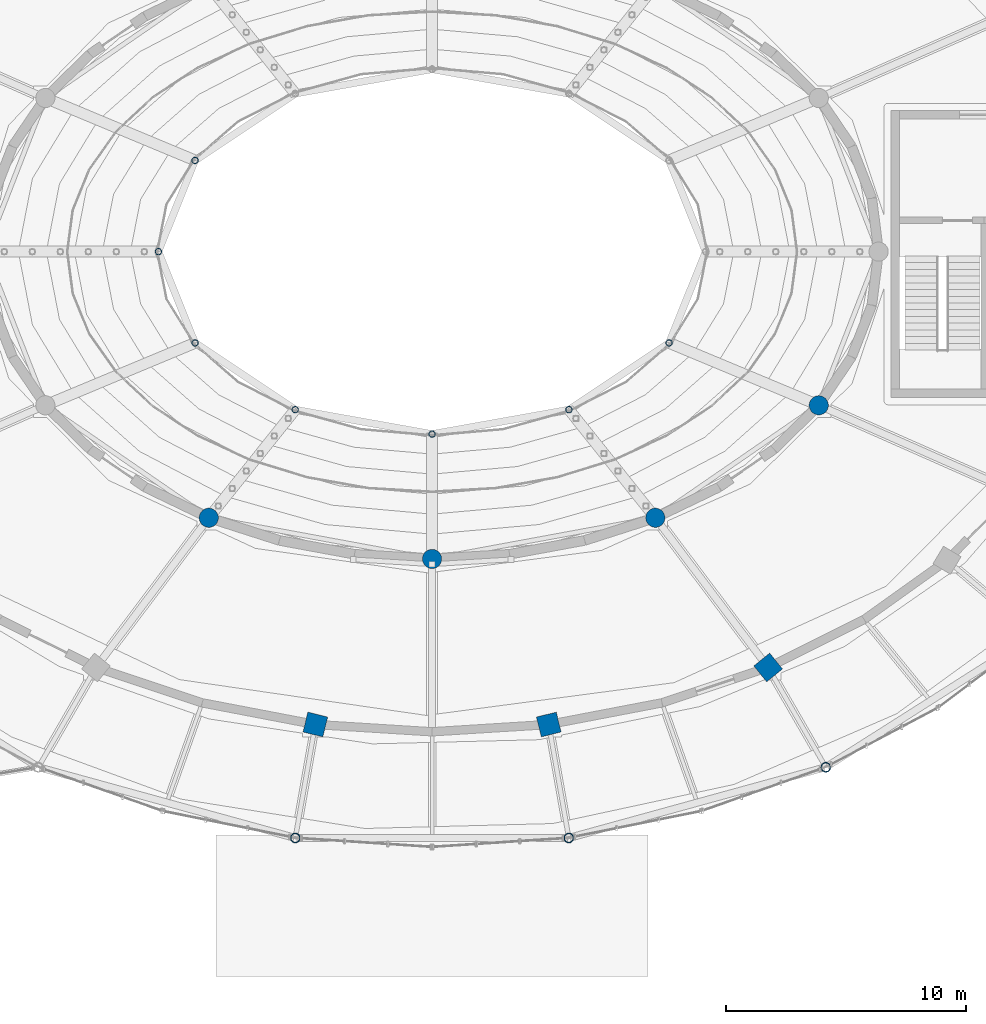
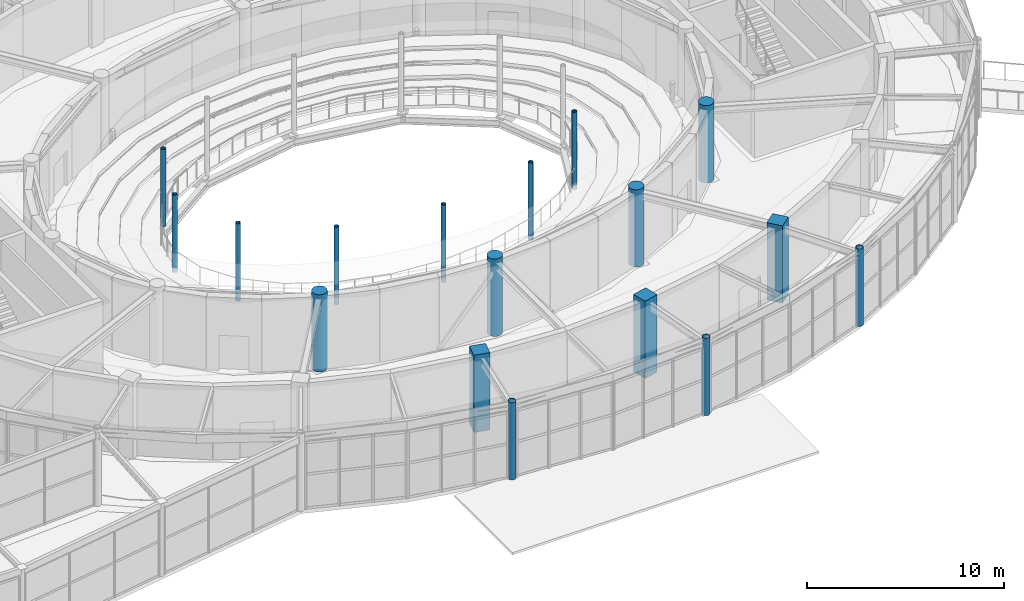
# One storey, part 5 of 100: 17 columns.
"""IFC4 building model written with IfcOpenShell, lengths in metres."""

from ifc_helpers import new_model, si_unit, direction, frame, origin, origin_2d, place, context, subcontext, project, spatial, rectangle, circle, hollow_circle, extrude, material, material_profile, profile_set, type_object, element, save


model = new_model("IFC4")

# Units and contexts
model_context = context("Model", 3, precision=1e-05, world=origin(), true_north=direction((0.0, 1.0)))
body_context = subcontext(model_context, "Body", "Model", "MODEL_VIEW")
ifc_project = project(units=[si_unit("LENGTHUNIT", "METRE"), si_unit("AREAUNIT", "SQUARE_METRE"), si_unit("VOLUMEUNIT", "CUBIC_METRE"), si_unit("PLANEANGLEUNIT", "RADIAN"), si_unit("MASSUNIT", "GRAM", prefix="KILO")], contexts=[model_context])

# Site, building, storey
site_placement = place(None, origin())
site = spatial("IfcSite", under=ifc_project, at=site_placement, CompositionType="ELEMENT")
building_placement = place(site_placement, origin())
building = spatial("IfcBuilding", under=site, at=building_placement, Name="Tarnveldt Headland Concert Hall", CompositionType="ELEMENT")
storey_placement = place(building_placement, frame((0.0, 0.0, 4.800048828125)))
storey = spatial("IfcBuildingStorey", under=building, at=storey_placement, Name="L01", CompositionType="ELEMENT", Elevation=4.800048828125)

# Columns
ifc_material_1 = material(Name="Concrete C40/50", Category="concrete")
ifc_material_profile_1 = material_profile(ifc_material_1, rectangle(XDim=0.85009765625, YDim=0.85009765625, at=origin_2d()), Name="RC 850x850", Category="concrete")
ifc_profile_set_1 = profile_set([ifc_material_profile_1], Name="Concrete C40/50")
column_type_1 = type_object("IfcColumnType", Name="CC-850", PredefinedType="COLUMN", material=ifc_profile_set_1)
for number, where, z_axis, x_axis, name in (
    (1, (78.637939453125, 34.8037109375, 0.0), (0.0, 0.0, 1.0), (-0.239719743609, -0.970842131618, 0.0), "Column V2DC14 L01"),
    (2, (88.362060546875, 34.8037109375, 0.0), (0.0, 0.0, 1.0), (0.239719743609, -0.970842131618, 0.0), "Column V2DC15 L01"),
    (3, (97.5, 37.179443359375, 0.0), (0.0, 0.0, 1.0), (0.628641963719, -0.777694851116, 0.0), "Column V2DC16 L01"),
):
    element("IfcColumn", number, at=place(storey_placement, frame(where, z_axis=z_axis, x_axis=x_axis)), inside=storey, type_object=column_type_1, Name=name, PredefinedType="COLUMN", context=body_context, shape_type="SweptSolid", body=[
        extrude(rectangle(XDim=0.85009765625, YDim=0.85009765625, at=origin_2d()), origin(), (0.0, 0.0, 1.0), 4.800048828125),
    ])
ifc_material_profile_2 = material_profile(ifc_material_1, circle(Radius=0.39990234375, at=origin_2d()), Name="RC D800", Category="concrete")
ifc_profile_set_2 = profile_set([ifc_material_profile_2], Name="Concrete C40/50")
column_type_2 = type_object("IfcColumnType", Name="DC-800", PredefinedType="COLUMN", material=ifc_profile_set_2)
for number, where, z_axis, x_axis, name in (
    (4, (74.199951171875, 43.414794921875, 0.0), (0.0, 0.0, 1.0), (-0.642787609687, -0.766044443119, 0.0), "Column V2IC09 L01"),
    (5, (83.5, 41.699951171875, 0.0), (0.0, 0.0, 1.0), (0.0, -1.0, 0.0), "Column V2IC10 L01"),
    (6, (92.800048828125, 43.414794921875, 0.0), (0.0, 0.0, 1.0), (0.642787609687, -0.766044443119, 0.0), "Column V2IC11 L01"),
    (7, (99.608154296875, 48.10009765625, 0.0), (0.0, 0.0, 1.0), (0.929326043111, -0.369260213935, 0.0), "Column V2IC12 L01"),
):
    element("IfcColumn", number, at=place(storey_placement, frame(where, z_axis=z_axis, x_axis=x_axis)), inside=storey, type_object=column_type_2, Name=name, PredefinedType="COLUMN", context=body_context, shape_type="SweptSolid", body=[
        extrude(circle(Radius=0.39990234375, at=origin_2d()), origin(), (0.0, 0.0, 1.0), 4.800048828125),
    ])
ifc_material_2 = material(Name="Steel S355", Category="steel")
ifc_material_profile_3 = material_profile(ifc_material_2, hollow_circle(Radius=0.136474609375, WallThickness=0.01611328125, at=origin_2d()), Name="CHS 273x16", Category="steel")
ifc_profile_set_3 = profile_set([ifc_material_profile_3], Name="Steel S355")
column_type_3 = type_object("IfcColumnType", Name="SC-CHS273", PredefinedType="COLUMN", material=ifc_profile_set_3)
for number, where, z_axis, x_axis, name in (
    (8, (73.627197265625, 58.300048828125, 0.0), (0.0, 0.0, 1.0), (1.0, 0.0, 0.0), "Tier ring column 6 L01"),
    (9, (72.10009765625, 54.5, 0.0), (0.0, 0.0, 1.0), (1.0, 0.0, 0.0), "Tier ring column 7 L01"),
    (10, (73.627197265625, 50.699951171875, 0.0), (0.0, 0.0, 1.0), (1.0, 0.0, 0.0), "Tier ring column 8 L01"),
    (11, (77.800048828125, 47.918212890625, 0.0), (0.0, 0.0, 1.0), (1.0, 0.0, 0.0), "Tier ring column 9 L01"),
    (12, (83.5, 46.89990234375, 0.0), (0.0, 0.0, 1.0), (1.0, 0.0, 0.0), "Tier ring column 10 L01"),
    (13, (89.199951171875, 47.918212890625, 0.0), (0.0, 0.0, 1.0), (1.0, 0.0, 0.0), "Tier ring column 11 L01"),
    (14, (93.372802734375, 50.699951171875, 0.0), (0.0, 0.0, 1.0), (1.0, 0.0, 0.0), "Tier ring column 12 L01"),
):
    element("IfcColumn", number, at=place(storey_placement, frame(where, z_axis=z_axis, x_axis=x_axis)), inside=storey, type_object=column_type_3, Name=name, PredefinedType="COLUMN", context=body_context, shape_type="SweptSolid", body=[
        extrude(hollow_circle(Radius=0.136474609375, WallThickness=0.01611328125, at=origin_2d()), origin(), (0.0, 0.0, 1.0), 4.800048828125),
    ])
ifc_material_profile_4 = material_profile(ifc_material_2, hollow_circle(Radius=0.203125, WallThickness=0.02490234375, at=origin_2d()), Name="CHS 406.4x25", Category="steel")
ifc_profile_set_4 = profile_set([ifc_material_profile_4], Name="Steel S355")
column_type_4 = type_object("IfcColumnType", Name="SC-CHS406", PredefinedType="COLUMN", material=ifc_profile_set_4)
for number, where, z_axis, x_axis, name in (
    (15, (77.80419921875, 30.076904296875, 0.0), (0.0, 0.0, 1.0), (-0.227161248969, -0.973857159427, 0.0), "Column V1C14 L01"),
    (16, (89.19580078125, 30.076904296875, 0.0), (0.0, 0.0, 1.0), (0.227161248969, -0.973857159427, 0.0), "Column V1C15 L01"),
    (17, (99.89990234375, 33.022705078125, 0.0), (0.0, 0.0, 1.0), (0.606959801962, -0.79473253287, 0.0), "Column V1C16 L01"),
):
    element("IfcColumn", number, at=place(storey_placement, frame(where, z_axis=z_axis, x_axis=x_axis)), inside=storey, type_object=column_type_4, Name=name, PredefinedType="COLUMN", context=body_context, shape_type="SweptSolid", body=[
        extrude(hollow_circle(Radius=0.203125, WallThickness=0.02490234375, at=origin_2d()), origin(), (0.0, 0.0, 1.0), 4.800048828125),
    ])

save(model, "model.ifc")
